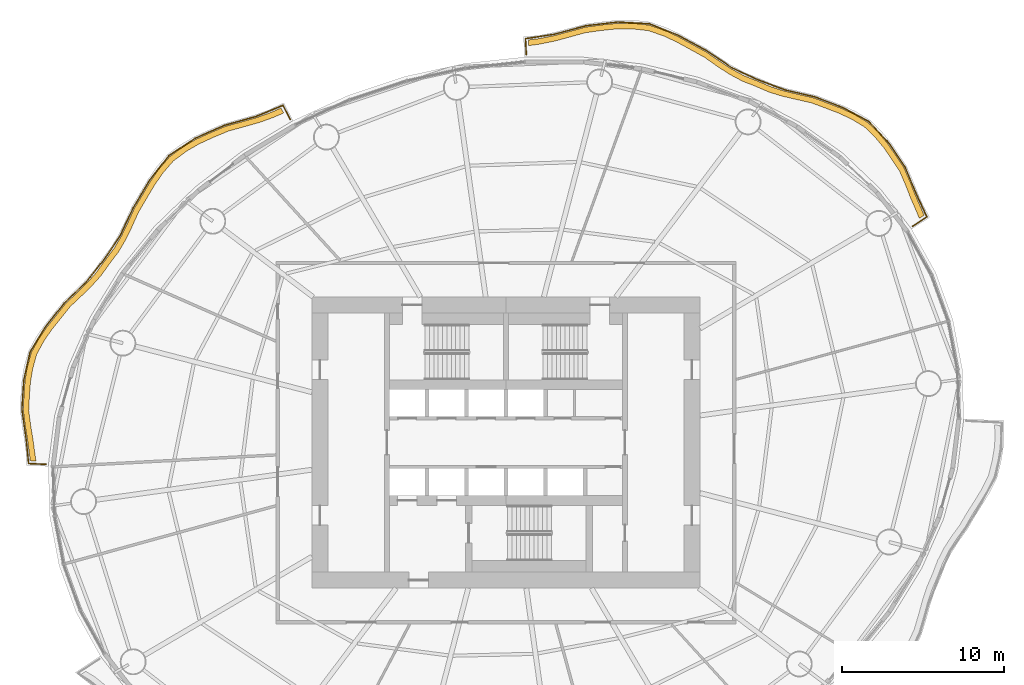
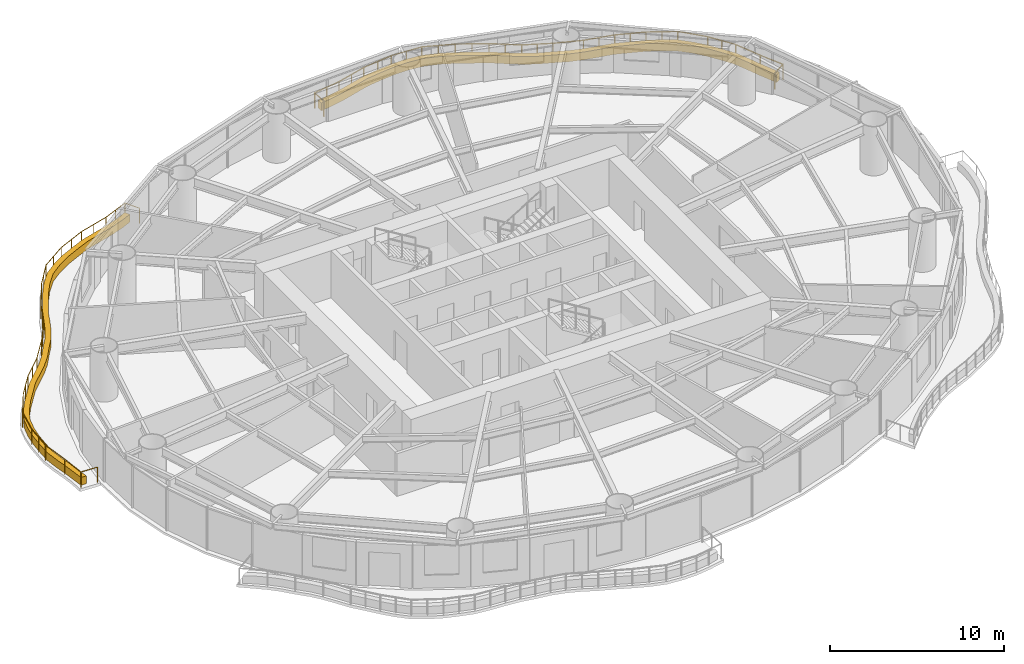
# One storey, part 16 of 16: 2 coverings, 2 railings.
"""IFC4 building model written with IfcOpenShell, lengths in metres."""

from ifc_helpers import new_model, si_unit, direction, frame, origin, origin_2d, place, context, subcontext, project, spatial, polyline, circle, outline, extrude, material, type_object, element, save


model = new_model("IFC4")

# Units and contexts
model_context = context("Model", 3, precision=1e-05, world=origin(), true_north=direction((0.0, 1.0)))
body_context = subcontext(model_context, "Body", "Model", "MODEL_VIEW")
ifc_project = project(units=[si_unit("LENGTHUNIT", "METRE"), si_unit("AREAUNIT", "SQUARE_METRE"), si_unit("VOLUMEUNIT", "CUBIC_METRE"), si_unit("PLANEANGLEUNIT", "RADIAN"), si_unit("MASSUNIT", "GRAM", prefix="KILO")], contexts=[model_context])

# Site, building, storey
site_placement = place(None, origin())
site = spatial("IfcSite", under=ifc_project, at=site_placement, CompositionType="ELEMENT")
building_placement = place(site_placement, origin())
building = spatial("IfcBuilding", under=site, at=building_placement, Name="Vermilion Reach Broadcast Tower", CompositionType="ELEMENT")
storey_placement = place(building_placement, frame((0.0, 0.0, 95.800048828125)))
storey = spatial("IfcBuildingStorey", under=building, at=storey_placement, Name="L21", CompositionType="ELEMENT", Elevation=95.800048828125)

# Coverings
ifc_material_1 = material(Name="Planting soil and greenery")
covering_type = type_object("IfcCoveringType", Name="Balcony PLANTER", PredefinedType="USERDEFINED", material=ifc_material_1)
placement = place(storey_placement, origin())
element("IfcCovering", 1, at=placement, inside=storey, type_object=covering_type, Name="PLANTER L21 group 1", ObjectType="PLANTER", PredefinedType="USERDEFINED", context=body_context, shape_type="SweptSolid", body=[
    extrude(outline(polyline([(19.83935546875, 14.05224609375), (19.602783203125, 14.596435546875), (19.279541015625, 15.341796875), (18.98095703125, 16.106201171875), (18.59619140625, 16.98876953125), (18.05810546875, 17.800537109375), (17.5908203125, 18.47509765625), (17.073974609375, 19.09765625), (16.374267578125, 19.780517578125), (15.516845703125, 20.297119140625), (14.756103515625, 20.6484375), (13.9609375, 20.95166015625), (13.05078125, 21.298095703125), (12.07958984375, 21.522216796875), (11.229248046875, 21.72119140625), (10.408203125, 21.97607421875), (9.56640625, 22.3369140625), (8.69775390625, 22.68359375), (7.925537109375, 23.096435546875), (7.180908203125, 23.582763671875), (6.35986328125, 24.15185546875), (5.460205078125, 24.6416015625), (4.65283203125, 25.085693359375), (3.83154296875, 25.47119140625), (2.85107421875, 25.804443359375), (1.80859375, 25.920166015625), (0.8955078125, 25.914794921875), (-0.027587890625, 25.82177734375), (-1.06201171875, 25.683837890625), (-2.089111328125, 25.40771484375), (-3.0107421875, 25.157470703125), (-3.93212890625, 24.973388671875), (-4.611083984375, 24.885009765625), (-4.593017578125, 24.535400390625), (-3.93310546875, 24.623291015625), (-3.01171875, 24.807373046875), (-2.09033203125, 25.0576171875), (-1.0830078125, 25.33447265625), (-0.068115234375, 25.47412109375), (0.85498046875, 25.567138671875), (1.76806640625, 25.572509765625), (2.79052734375, 25.4599609375), (3.750732421875, 25.130615234375), (4.572021484375, 24.7451171875), (5.37939453125, 24.301025390625), (6.25830078125, 23.81689453125), (7.059326171875, 23.254638671875), (7.803955078125, 22.768310546875), (8.575927734375, 22.35546875), (9.423828125, 22.017333984375), (10.24560546875, 21.666015625), (11.066650390625, 21.411376953125), (11.9169921875, 21.21240234375), (12.86767578125, 21.0), (13.758056640625, 20.66650390625), (14.55322265625, 20.36328125), (15.31396484375, 20.011962890625), (16.1513671875, 19.510498046875), (16.832763671875, 18.84423828125), (17.349365234375, 18.2216796875), (17.81689453125, 17.547119140625), (18.336669921875, 16.75390625), (18.70458984375, 15.8916015625), (19.003173828125, 15.126953125), (19.326416015625, 14.381591796875), (19.547119140625, 13.859375), (19.83935546875, 14.05224609375)])), origin(), (0.0, 0.0, 1.0), 0.550048828125),
])
element("IfcCovering", 2, at=placement, inside=storey, type_object=covering_type, Name="PLANTER L21 group 2", ObjectType="PLANTER", PredefinedType="USERDEFINED", context=body_context, shape_type="SweptSolid", body=[
    extrude(outline(polyline([(-19.9052734375, 20.681396484375), (-20.5302734375, 20.404541015625), (-21.41357421875, 20.087158203125), (-22.33203125, 19.82861328125), (-23.35498046875, 19.541748046875), (-24.315185546875, 19.134521484375), (-25.15966796875, 18.746826171875), (-25.951171875, 18.29052734375), (-26.793212890625, 17.664306640625), (-27.470458984375, 16.881591796875), (-27.9833984375, 16.134521484375), (-28.452880859375, 15.3427734375), (-28.97705078125, 14.46142578125), (-29.391357421875, 13.550537109375), (-29.779296875, 12.7490234375), (-30.227294921875, 11.995849609375), (-30.79150390625, 11.24951171875), (-31.324951171875, 10.505859375), (-31.895751953125, 9.864501953125), (-32.52197265625, 9.257080078125), (-33.24072265625, 8.568603515625), (-33.8466796875, 7.807373046875), (-34.37841796875, 7.14208984375), (-34.857666015625, 6.453369140625), (-35.336669921875, 5.57421875), (-35.595947265625, 4.631591796875), (-35.72802734375, 3.833984375), (-35.7900390625, 3.016845703125), (-35.841064453125, 2.04345703125), (-35.72216796875, 1.087158203125), (-35.5869140625, 0.27734375), (-35.480712890625, -0.529052734375), (-35.401123046875, -1.118896484375), (-35.051513671875, -1.135498046875), (-35.13330078125, -0.572509765625), (-35.23974609375, 0.233642578125), (-35.375, 1.043701171875), (-35.498046875, 1.974365234375), (-35.453125, 2.922119140625), (-35.39111328125, 3.739501953125), (-35.2587890625, 4.537109375), (-35.00732421875, 5.4560546875), (-34.53759765625, 6.31201171875), (-34.058349609375, 7.00048828125), (-33.5263671875, 7.666015625), (-32.930908203125, 8.40576171875), (-32.223876953125, 9.07373046875), (-31.59765625, 9.68115234375), (-31.026611328125, 10.322509765625), (-30.505615234375, 11.047607421875), (-29.955078125, 11.77587890625), (-29.507080078125, 12.529052734375), (-29.118896484375, 13.33056640625), (-28.71875, 14.225341796875), (-28.20947265625, 15.09130859375), (-27.739990234375, 15.883056640625), (-27.22705078125, 16.630126953125), (-26.56494140625, 17.39892578125), (-25.73876953125, 18.01220703125), (-24.947265625, 18.46875), (-24.102783203125, 18.856201171875), (-23.158447265625, 19.251953125), (-22.152099609375, 19.5283203125), (-21.233642578125, 19.786865234375), (-20.3505859375, 20.104248046875), (-19.7421875, 20.371826171875), (-19.9052734375, 20.681396484375)])), origin(), (0.0, 0.0, 1.0), 0.550048828125),
])

# Railings
ifc_material_2 = material(Name="Stainless steel 316 balustrade", Category="steel")
railing_type = type_object("IfcRailingType", Name="Balcony guard 1100", PredefinedType="BALUSTRADE", material=ifc_material_2)
railing_1_placement = place(storey_placement, frame((19.125244140625, 13.365966796875, 0.0)))
element("IfcRailing", 3, at=railing_1_placement, inside=storey, type_object=railing_type, Name="Balcony guard L21 group 1", PredefinedType="BALUSTRADE", context=body_context, shape_type="SweptSolid", body=[
    extrude(circle(Radius=0.02490234375, at=origin_2d()), frame((0.0, 0.0, 1.0751953125), z_axis=(0.834504280846, 0.551001456668, 0.0), x_axis=(-0.551001456668, 0.834504280846, 0.0)), (0.0, 0.0, 1.0), 1.06787109375),
    extrude(circle(Radius=0.02490234375, at=origin_2d()), frame((0.89111328125, 0.58837890625, 1.0751953125), z_axis=(-0.4245442598, 0.905407185453, 0.0), x_axis=(-0.905407185453, -0.4245442598, 0.0)), (0.0, 0.0, 1.0), 1.586669921875),
    extrude(circle(Radius=0.02490234375, at=origin_2d()), frame((0.217529296875, 2.02490234375, 1.0751953125), z_axis=(-0.384179265303, 0.92325851857, 0.0), x_axis=(-0.92325851857, -0.384179265303, 0.0)), (0.0, 0.0, 1.0), 1.788818359375),
    extrude(circle(Radius=0.02490234375, at=origin_2d()), frame((-0.4697265625, 3.676513671875, 1.0751953125), z_axis=(-0.560788169147, 0.827959316238, 0.0), x_axis=(-0.827959316238, -0.560788169147, 0.0)), (0.0, 0.0, 1.0), 1.80029296875),
    extrude(circle(Radius=0.02490234375, at=origin_2d()), frame((-1.479248046875, 5.1669921875, 1.0751953125), z_axis=(-0.68199264088, 0.731359034801, 0.0), x_axis=(-0.731359034801, -0.68199264088, 0.0)), (0.0, 0.0, 1.0), 1.790283203125),
    extrude(circle(Radius=0.02490234375, at=origin_2d()), frame((-2.7001953125, 6.476318359375, 1.0751953125), z_axis=(-0.881002615015, 0.473111395273, 0.0), x_axis=(-0.473111395273, -0.881002615015, 0.0)), (0.0, 0.0, 1.0), 1.841796875),
    extrude(circle(Radius=0.02490234375, at=origin_2d()), frame((-4.32275390625, 7.34765625, 1.0751953125), z_axis=(-0.934212728225, 0.356716383732, 0.0), x_axis=(-0.356716383732, -0.934212728225, 0.0)), (0.0, 0.0, 1.0), 1.830078125),
    extrude(circle(Radius=0.02490234375, at=origin_2d()), frame((-6.032470703125, 8.00048828125, 1.0751953125), z_axis=(-0.973915098959, 0.226912714541, 0.0), x_axis=(-0.226912714541, -0.973915098959, 0.0)), (0.0, 0.0, 1.0), 1.875244140625),
    extrude(circle(Radius=0.02490234375, at=origin_2d()), frame((-7.85888671875, 8.426025390625, 1.0751953125), z_axis=(-0.937642732617, 0.347600497655, 0.0), x_axis=(-0.347600497655, -0.937642732617, 0.0)), (0.0, 0.0, 1.0), 1.7783203125),
    extrude(circle(Radius=0.02490234375, at=origin_2d()), frame((-9.5263671875, 9.044189453125, 1.0751953125), z_axis=(-0.907588558569, 0.419860701131, 0.0), x_axis=(-0.419860701131, -0.907588558569, 0.0)), (0.0, 0.0, 1.0), 1.81298828125),
    extrude(circle(Radius=0.02490234375, at=origin_2d()), frame((-11.171875, 9.805419921875, 1.0751953125), z_axis=(-0.829541789231, 0.558444643559, 0.0), x_axis=(-0.558444643559, -0.829541789231, 0.0)), (0.0, 0.0, 1.0), 1.89306640625),
    extrude(circle(Radius=0.02490234375, at=origin_2d()), frame((-12.7421875, 10.862548828125, 1.0751953125), z_axis=(-0.877618002108, 0.479360660022, 0.0), x_axis=(-0.479360660022, -0.877618002108, 0.0)), (0.0, 0.0, 1.0), 1.95068359375),
    extrude(circle(Radius=0.02490234375, at=origin_2d()), frame((-14.4541015625, 11.797607421875, 1.0751953125), z_axis=(-0.928960856188, 0.370177967565, 0.0), x_axis=(-0.370177967565, -0.928960856188, 0.0)), (0.0, 0.0, 1.0), 1.9443359375),
    extrude(circle(Radius=0.02490234375, at=origin_2d()), frame((-16.26025390625, 12.517333984375, 1.0751953125), z_axis=(-0.998398136944, 0.056578795904, 0.0), x_axis=(-0.056578795904, -0.998398136944, 0.0)), (0.0, 0.0, 1.0), 1.96337890625),
    extrude(circle(Radius=0.02490234375, at=origin_2d()), frame((-18.220458984375, 12.62841796875, 1.0751953125), z_axis=(-0.993158193757, -0.116776719311, 0.0), x_axis=(0.116776719311, -0.993158193757, 0.0)), (0.0, 0.0, 1.0), 1.9755859375),
    extrude(circle(Radius=0.02490234375, at=origin_2d()), frame((-20.1826171875, 12.397705078125, 1.0751953125), z_axis=(-0.965550470205, -0.26021585172, 0.0), x_axis=(0.26021585172, -0.965550470205, 0.0)), (0.0, 0.0, 1.0), 2.022705078125),
    extrude(circle(Radius=0.02490234375, at=origin_2d()), frame((-22.1357421875, 11.871337890625, 1.0751953125), z_axis=(-0.988589526253, -0.150634486698, 0.0), x_axis=(0.150634486698, -0.988589526253, 0.0)), (0.0, 0.0, 1.0), 1.805419921875),
    extrude(circle(Radius=0.02490234375, at=origin_2d()), frame((-23.920654296875, 11.599365234375, 1.0751953125), z_axis=(0.05165083588, -0.998665204737, 0.0), x_axis=(0.998665204737, 0.05165083588, 0.0)), (0.0, 0.0, 1.0), 0.98779296875),
    extrude(circle(Radius=0.02490234375, at=origin_2d()), origin(), (0.0, 0.0, 1.0), 1.050048828125),
    extrude(circle(Radius=0.02490234375, at=origin_2d()), frame((0.89111328125, 0.58837890625, 0.0)), (0.0, 0.0, 1.0), 1.050048828125),
    extrude(circle(Radius=0.02490234375, at=origin_2d()), frame((0.217529296875, 2.02490234375, 0.0)), (0.0, 0.0, 1.0), 1.050048828125),
    extrude(circle(Radius=0.02490234375, at=origin_2d()), frame((-0.4697265625, 3.676513671875, 0.0)), (0.0, 0.0, 1.0), 1.050048828125),
    extrude(circle(Radius=0.02490234375, at=origin_2d()), frame((-0.974609375, 4.421875, 0.0)), (0.0, 0.0, 1.0), 1.050048828125),
    extrude(circle(Radius=0.02490234375, at=origin_2d()), frame((-1.479248046875, 5.1669921875, 0.0)), (0.0, 0.0, 1.0), 1.050048828125),
    extrude(circle(Radius=0.02490234375, at=origin_2d()), frame((-2.7001953125, 6.476318359375, 0.0)), (0.0, 0.0, 1.0), 1.050048828125),
    extrude(circle(Radius=0.02490234375, at=origin_2d()), frame((-3.511474609375, 6.912109375, 0.0)), (0.0, 0.0, 1.0), 1.050048828125),
    extrude(circle(Radius=0.02490234375, at=origin_2d()), frame((-4.32275390625, 7.34765625, 0.0)), (0.0, 0.0, 1.0), 1.050048828125),
    extrude(circle(Radius=0.02490234375, at=origin_2d()), frame((-5.177734375, 7.674072265625, 0.0)), (0.0, 0.0, 1.0), 1.050048828125),
    extrude(circle(Radius=0.02490234375, at=origin_2d()), frame((-6.032470703125, 8.00048828125, 0.0)), (0.0, 0.0, 1.0), 1.050048828125),
    extrude(circle(Radius=0.02490234375, at=origin_2d()), frame((-6.94580078125, 8.21337890625, 0.0)), (0.0, 0.0, 1.0), 1.050048828125),
    extrude(circle(Radius=0.02490234375, at=origin_2d()), frame((-7.85888671875, 8.426025390625, 0.0)), (0.0, 0.0, 1.0), 1.050048828125),
    extrude(circle(Radius=0.02490234375, at=origin_2d()), frame((-9.5263671875, 9.044189453125, 0.0)), (0.0, 0.0, 1.0), 1.050048828125),
    extrude(circle(Radius=0.02490234375, at=origin_2d()), frame((-10.34912109375, 9.4248046875, 0.0)), (0.0, 0.0, 1.0), 1.050048828125),
    extrude(circle(Radius=0.02490234375, at=origin_2d()), frame((-11.171875, 9.805419921875, 0.0)), (0.0, 0.0, 1.0), 1.050048828125),
    extrude(circle(Radius=0.02490234375, at=origin_2d()), frame((-11.95703125, 10.333984375, 0.0)), (0.0, 0.0, 1.0), 1.050048828125),
    extrude(circle(Radius=0.02490234375, at=origin_2d()), frame((-12.7421875, 10.862548828125, 0.0)), (0.0, 0.0, 1.0), 1.050048828125),
    extrude(circle(Radius=0.02490234375, at=origin_2d()), frame((-13.59814453125, 11.330078125, 0.0)), (0.0, 0.0, 1.0), 1.050048828125),
    extrude(circle(Radius=0.02490234375, at=origin_2d()), frame((-14.4541015625, 11.797607421875, 0.0)), (0.0, 0.0, 1.0), 1.050048828125),
    extrude(circle(Radius=0.02490234375, at=origin_2d()), frame((-15.357177734375, 12.157470703125, 0.0)), (0.0, 0.0, 1.0), 1.050048828125),
    extrude(circle(Radius=0.02490234375, at=origin_2d()), frame((-16.26025390625, 12.517333984375, 0.0)), (0.0, 0.0, 1.0), 1.050048828125),
    extrude(circle(Radius=0.02490234375, at=origin_2d()), frame((-17.240234375, 12.57275390625, 0.0)), (0.0, 0.0, 1.0), 1.050048828125),
    extrude(circle(Radius=0.02490234375, at=origin_2d()), frame((-18.220458984375, 12.62841796875, 0.0)), (0.0, 0.0, 1.0), 1.050048828125),
    extrude(circle(Radius=0.02490234375, at=origin_2d()), frame((-19.20166015625, 12.51318359375, 0.0)), (0.0, 0.0, 1.0), 1.050048828125),
    extrude(circle(Radius=0.02490234375, at=origin_2d()), frame((-20.1826171875, 12.397705078125, 0.0)), (0.0, 0.0, 1.0), 1.050048828125),
    extrude(circle(Radius=0.02490234375, at=origin_2d()), frame((-21.1591796875, 12.134521484375, 0.0)), (0.0, 0.0, 1.0), 1.050048828125),
    extrude(circle(Radius=0.02490234375, at=origin_2d()), frame((-22.1357421875, 11.871337890625, 0.0)), (0.0, 0.0, 1.0), 1.050048828125),
    extrude(circle(Radius=0.02490234375, at=origin_2d()), frame((-23.0283203125, 11.7353515625, 0.0)), (0.0, 0.0, 1.0), 1.050048828125),
    extrude(circle(Radius=0.02490234375, at=origin_2d()), frame((-23.920654296875, 11.599365234375, 0.0)), (0.0, 0.0, 1.0), 1.050048828125),
    extrude(circle(Radius=0.02490234375, at=origin_2d()), frame((-23.86962890625, 10.61279296875, 0.0)), (0.0, 0.0, 1.0), 1.050048828125),
])
railing_2_placement = place(storey_placement, frame((-19.328857421875, 19.972412109375, 0.0)))
element("IfcRailing", 4, at=railing_2_placement, inside=storey, type_object=railing_type, Name="Balcony guard L21 group 2", PredefinedType="BALUSTRADE", context=body_context, shape_type="SweptSolid", body=[
    extrude(circle(Radius=0.02490234375, at=origin_2d()), frame((0.0, 0.0, 1.0751953125), z_axis=(-0.465838293524, 0.884869868561, 0.0), x_axis=(-0.884869868561, -0.465838293524, 0.0)), (0.0, 0.0, 1.0), 0.98583984375),
    extrude(circle(Radius=0.02490234375, at=origin_2d()), frame((-0.459228515625, 0.872314453125, 1.0751953125), z_axis=(-0.924138838123, -0.382056812362, 0.0), x_axis=(0.382056812362, -0.924138838123, 0.0)), (0.0, 0.0, 1.0), 1.80322265625),
    extrude(circle(Radius=0.02490234375, at=origin_2d()), frame((-2.125732421875, 0.183349609375, 1.0751953125), z_axis=(-0.96254754708, -0.271112927783, 0.0), x_axis=(0.271112927783, -0.96254754708, 0.0)), (0.0, 0.0, 1.0), 2.020751953125),
    extrude(circle(Radius=0.02490234375, at=origin_2d()), frame((-4.07080078125, -0.364501953125, 1.0751953125), z_axis=(-0.914999630371, -0.403454677034, 0.0), x_axis=(0.403454677034, -0.914999630371, 0.0)), (0.0, 0.0, 1.0), 1.976318359375),
    extrude(circle(Radius=0.02490234375, at=origin_2d()), frame((-5.879150390625, -1.161865234375, 1.0751953125), z_axis=(-0.833443248942, -0.552605058602, 0.0), x_axis=(0.552605058602, -0.833443248942, 0.0)), (0.0, 0.0, 1.0), 1.964599609375),
    extrude(circle(Radius=0.02490234375, at=origin_2d()), frame((-7.5166015625, -2.24755859375, 1.0751953125), z_axis=(-0.614419027721, -0.788979884645, 0.0), x_axis=(0.788979884645, -0.614419027721, 0.0)), (0.0, 0.0, 1.0), 1.942626953125),
    extrude(circle(Radius=0.02490234375, at=origin_2d()), frame((-8.710205078125, -3.7802734375, 1.0751953125), z_axis=(-0.511105379514, -0.85951805742, 0.0), x_axis=(0.85951805742, -0.511105379514, 0.0)), (0.0, 0.0, 1.0), 1.950927734375),
    extrude(circle(Radius=0.02490234375, at=origin_2d()), frame((-9.707275390625, -5.45703125, 1.0751953125), z_axis=(-0.42487267594, -0.905253118879, 0.0), x_axis=(0.905253118879, -0.42487267594, 0.0)), (0.0, 0.0, 1.0), 1.895751953125),
    extrude(circle(Radius=0.02490234375, at=origin_2d()), frame((-10.5126953125, -7.173095703125, 1.0751953125), z_axis=(-0.559535255233, -0.8288065505, 0.0), x_axis=(0.8288065505, -0.559535255233, 0.0)), (0.0, 0.0, 1.0), 1.814208984375),
    extrude(circle(Radius=0.02490234375, at=origin_2d()), frame((-11.52783203125, -8.6767578125, 1.0751953125), z_axis=(-0.623202391793, -0.782060597948, 0.0), x_axis=(0.782060597948, -0.623202391793, 0.0)), (0.0, 0.0, 1.0), 1.776611328125),
    extrude(circle(Radius=0.02490234375, at=origin_2d()), frame((-12.635009765625, -10.066162109375, 1.0751953125), z_axis=(-0.719574392874, -0.694415360659, 0.0), x_axis=(0.694415360659, -0.719574392874, 0.0)), (0.0, 0.0, 1.0), 1.872802734375),
    extrude(circle(Radius=0.02490234375, at=origin_2d()), frame((-13.982666015625, -11.36669921875, 1.0751953125), z_axis=(-0.623034121482, -0.782194658297, 0.0), x_axis=(0.782194658297, -0.623034121482, 0.0)), (0.0, 0.0, 1.0), 1.830078125),
    extrude(circle(Radius=0.02490234375, at=origin_2d()), frame((-15.122802734375, -12.798095703125, 1.0751953125), z_axis=(-0.521123121329, -0.853481512639, 0.0), x_axis=(0.853481512639, -0.521123121329, 0.0)), (0.0, 0.0, 1.0), 1.843017578125),
    extrude(circle(Radius=0.02490234375, at=origin_2d()), frame((-16.083251953125, -14.37109375, 1.0751953125), z_axis=(-0.219544663268, -0.975602450197, 0.0), x_axis=(0.975602450197, -0.219544663268, 0.0)), (0.0, 0.0, 1.0), 1.789306640625),
    extrude(circle(Radius=0.02490234375, at=origin_2d()), frame((-16.47607421875, -16.11669921875, 1.0751953125), z_axis=(-0.063611058058, -0.99797476586, 0.0), x_axis=(0.99797476586, -0.063611058058, 0.0)), (0.0, 0.0, 1.0), 1.800048828125),
    extrude(circle(Radius=0.02490234375, at=origin_2d()), frame((-16.590576171875, -17.9130859375, 1.0751953125), z_axis=(0.141287704417, -0.989968577572, 0.0), x_axis=(0.989968577572, 0.141287704417, 0.0)), (0.0, 0.0, 1.0), 1.790283203125),
    extrude(circle(Radius=0.02490234375, at=origin_2d()), frame((-16.337646484375, -19.685302734375, 1.0751953125), z_axis=(0.102621357312, -0.994720491909, 0.0), x_axis=(0.994720491909, 0.102621357312, 0.0)), (0.0, 0.0, 1.0), 1.589111328125),
    extrude(circle(Radius=0.02490234375, at=origin_2d()), frame((-16.174560546875, -21.26611328125, 1.0751953125), z_axis=(0.998877349292, -0.047371310643, 0.0), x_axis=(0.047371310643, 0.998877349292, 0.0)), (0.0, 0.0, 1.0), 1.0771484375),
    extrude(circle(Radius=0.02490234375, at=origin_2d()), origin(), (0.0, 0.0, 1.0), 1.050048828125),
    extrude(circle(Radius=0.02490234375, at=origin_2d()), frame((-0.459228515625, 0.872314453125, 0.0)), (0.0, 0.0, 1.0), 1.050048828125),
    extrude(circle(Radius=0.02490234375, at=origin_2d()), frame((-1.29248046875, 0.52783203125, 0.0)), (0.0, 0.0, 1.0), 1.050048828125),
    extrude(circle(Radius=0.02490234375, at=origin_2d()), frame((-2.125732421875, 0.183349609375, 0.0)), (0.0, 0.0, 1.0), 1.050048828125),
    extrude(circle(Radius=0.02490234375, at=origin_2d()), frame((-3.09814453125, -0.090576171875, 0.0)), (0.0, 0.0, 1.0), 1.050048828125),
    extrude(circle(Radius=0.02490234375, at=origin_2d()), frame((-4.07080078125, -0.364501953125, 0.0)), (0.0, 0.0, 1.0), 1.050048828125),
    extrude(circle(Radius=0.02490234375, at=origin_2d()), frame((-4.97509765625, -0.76318359375, 0.0)), (0.0, 0.0, 1.0), 1.050048828125),
    extrude(circle(Radius=0.02490234375, at=origin_2d()), frame((-5.879150390625, -1.161865234375, 0.0)), (0.0, 0.0, 1.0), 1.050048828125),
    extrude(circle(Radius=0.02490234375, at=origin_2d()), frame((-6.69775390625, -1.70458984375, 0.0)), (0.0, 0.0, 1.0), 1.050048828125),
    extrude(circle(Radius=0.02490234375, at=origin_2d()), frame((-7.5166015625, -2.24755859375, 0.0)), (0.0, 0.0, 1.0), 1.050048828125),
    extrude(circle(Radius=0.02490234375, at=origin_2d()), frame((-8.11328125, -3.013916015625, 0.0)), (0.0, 0.0, 1.0), 1.050048828125),
    extrude(circle(Radius=0.02490234375, at=origin_2d()), frame((-8.710205078125, -3.7802734375, 0.0)), (0.0, 0.0, 1.0), 1.050048828125),
    extrude(circle(Radius=0.02490234375, at=origin_2d()), frame((-9.208740234375, -4.61865234375, 0.0)), (0.0, 0.0, 1.0), 1.050048828125),
    extrude(circle(Radius=0.02490234375, at=origin_2d()), frame((-9.707275390625, -5.45703125, 0.0)), (0.0, 0.0, 1.0), 1.050048828125),
    extrude(circle(Radius=0.02490234375, at=origin_2d()), frame((-10.10986328125, -6.31494140625, 0.0)), (0.0, 0.0, 1.0), 1.050048828125),
    extrude(circle(Radius=0.02490234375, at=origin_2d()), frame((-10.5126953125, -7.173095703125, 0.0)), (0.0, 0.0, 1.0), 1.050048828125),
    extrude(circle(Radius=0.02490234375, at=origin_2d()), frame((-11.020263671875, -7.9248046875, 0.0)), (0.0, 0.0, 1.0), 1.050048828125),
    extrude(circle(Radius=0.02490234375, at=origin_2d()), frame((-11.52783203125, -8.6767578125, 0.0)), (0.0, 0.0, 1.0), 1.050048828125),
    extrude(circle(Radius=0.02490234375, at=origin_2d()), frame((-12.635009765625, -10.066162109375, 0.0)), (0.0, 0.0, 1.0), 1.050048828125),
    extrude(circle(Radius=0.02490234375, at=origin_2d()), frame((-13.308837890625, -10.71630859375, 0.0)), (0.0, 0.0, 1.0), 1.050048828125),
    extrude(circle(Radius=0.02490234375, at=origin_2d()), frame((-13.982666015625, -11.36669921875, 0.0)), (0.0, 0.0, 1.0), 1.050048828125),
    extrude(circle(Radius=0.02490234375, at=origin_2d()), frame((-14.552734375, -12.08251953125, 0.0)), (0.0, 0.0, 1.0), 1.050048828125),
    extrude(circle(Radius=0.02490234375, at=origin_2d()), frame((-15.122802734375, -12.798095703125, 0.0)), (0.0, 0.0, 1.0), 1.050048828125),
    extrude(circle(Radius=0.02490234375, at=origin_2d()), frame((-15.60302734375, -13.58447265625, 0.0)), (0.0, 0.0, 1.0), 1.050048828125),
    extrude(circle(Radius=0.02490234375, at=origin_2d()), frame((-16.083251953125, -14.37109375, 0.0)), (0.0, 0.0, 1.0), 1.050048828125),
    extrude(circle(Radius=0.02490234375, at=origin_2d()), frame((-16.47607421875, -16.11669921875, 0.0)), (0.0, 0.0, 1.0), 1.050048828125),
    extrude(circle(Radius=0.02490234375, at=origin_2d()), frame((-16.533203125, -17.014892578125, 0.0)), (0.0, 0.0, 1.0), 1.050048828125),
    extrude(circle(Radius=0.02490234375, at=origin_2d()), frame((-16.590576171875, -17.9130859375, 0.0)), (0.0, 0.0, 1.0), 1.050048828125),
    extrude(circle(Radius=0.02490234375, at=origin_2d()), frame((-16.337646484375, -19.685302734375, 0.0)), (0.0, 0.0, 1.0), 1.050048828125),
    extrude(circle(Radius=0.02490234375, at=origin_2d()), frame((-16.174560546875, -21.26611328125, 0.0)), (0.0, 0.0, 1.0), 1.050048828125),
    extrude(circle(Radius=0.02490234375, at=origin_2d()), frame((-15.0986328125, -21.317138671875, 0.0)), (0.0, 0.0, 1.0), 1.050048828125),
])

save(model, "model.ifc")
